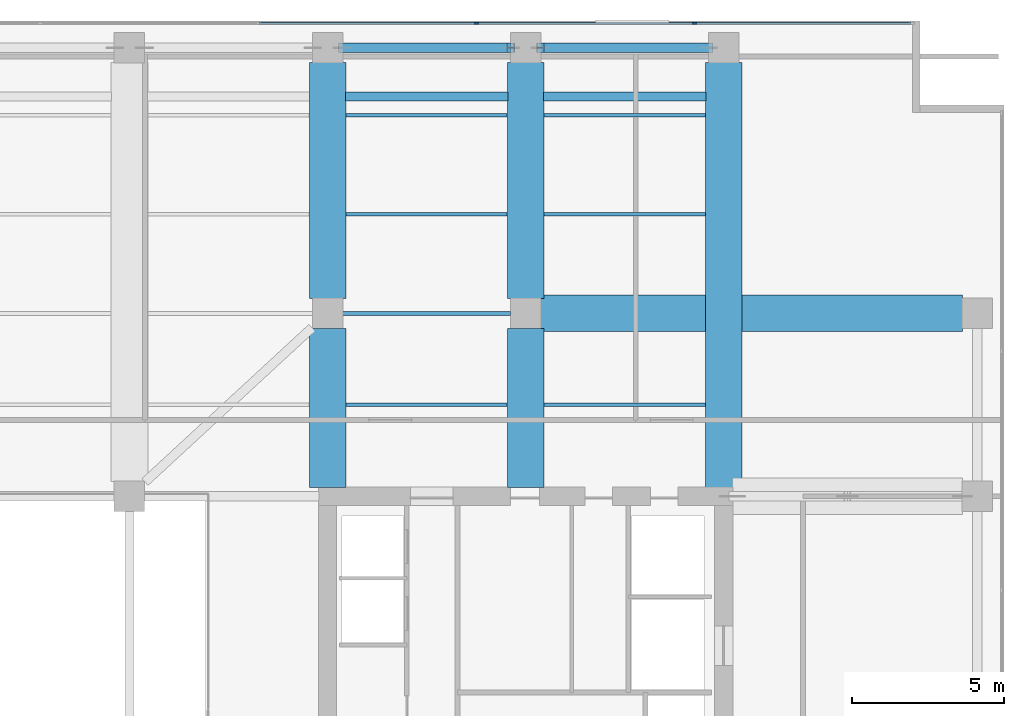
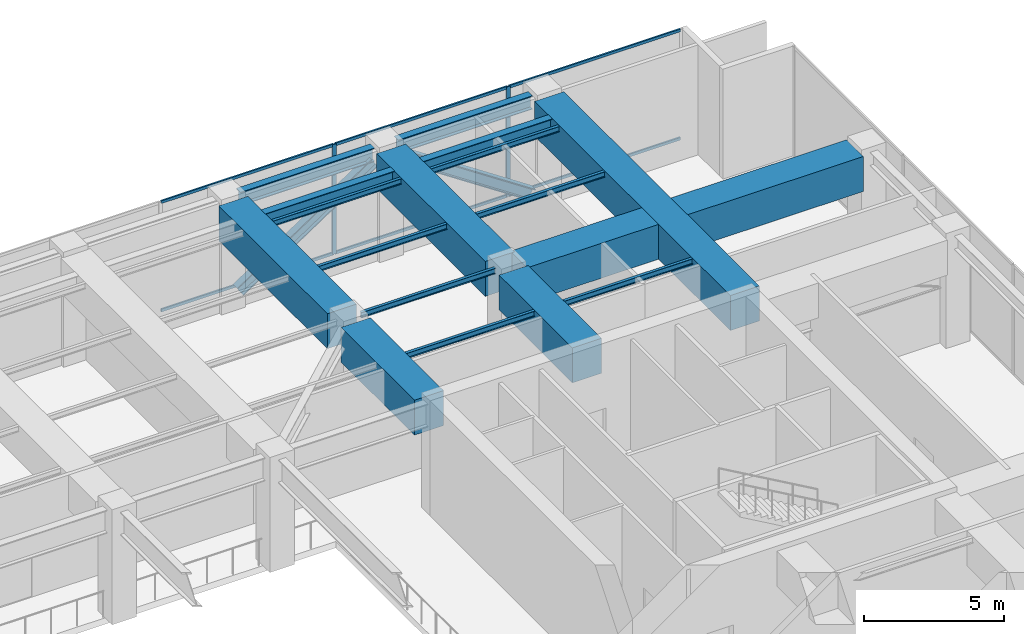
# One storey, part 10 of 28: 17 beams, 10 members, 1 element without a shape of its own.
"""IFC4 building model written with IfcOpenShell, lengths in metres."""

from ifc_helpers import new_model, si_unit, direction, frame, origin, origin_2d, place, context, subcontext, project, spatial, rectangle, i_section, extrude, material, layer, layer_set, material_profile, profile_set, type_object, element, aggregate, save


model = new_model("IFC4")

# Units and contexts
model_context = context("Model", 3, precision=1e-05, world=origin(), true_north=direction((0.0, 1.0)))
body_context = subcontext(model_context, "Body", "Model", "MODEL_VIEW")
ifc_project = project(units=[si_unit("LENGTHUNIT", "METRE"), si_unit("AREAUNIT", "SQUARE_METRE"), si_unit("VOLUMEUNIT", "CUBIC_METRE"), si_unit("PLANEANGLEUNIT", "RADIAN"), si_unit("MASSUNIT", "GRAM", prefix="KILO")], contexts=[model_context])

# Site, building, storey
site_placement = place(None, origin())
site = spatial("IfcSite", under=ifc_project, at=site_placement, CompositionType="ELEMENT")
building_placement = place(site_placement, origin())
building = spatial("IfcBuilding", under=site, at=building_placement, Name="Putna Gate Headquarters", CompositionType="ELEMENT")
storey_placement = place(building_placement, frame((0.0, 0.0, 197.39990234375)))
storey = spatial("IfcBuildingStorey", under=building, at=storey_placement, Name="L49", CompositionType="ELEMENT", Elevation=197.39990234375)

# Beams
ifc_material_1 = material(Name="Steel S355J2", Category="steel")
ifc_material_profile_1 = material_profile(ifc_material_1, i_section(OverallWidth=0.1201171875, OverallDepth=0.239990234375, WebThickness=0.006103515625, FlangeThickness=0.009765625, at=origin_2d()), Name="Steel S355J2")
ifc_profile_set_1 = profile_set([ifc_material_profile_1], Name="Steel S355J2")
beam_type_1 = type_object("IfcBeamType", Name="BM-SEC-Z4-IPE240", PredefinedType="JOIST", material=ifc_profile_set_1)
beam_1_placement = place(storey_placement, frame((52.60400390625, 36.0, 4.66015625), z_axis=(1.0, 0.0, 0.0), x_axis=(0.0, 1.0, 0.0)))
element("IfcBeam", 1, at=beam_1_placement, inside=storey, type_object=beam_type_1, Name="L49 North Secondary Beam 7", PredefinedType="JOIST", context=body_context, shape_type="SweptSolid", body=[
    extrude(i_section(OverallWidth=0.1201171875, OverallDepth=0.239990234375, WebThickness=0.006103515625, FlangeThickness=0.009765625, at=origin_2d()), origin(), (0.0, 0.0, 1.0), 5.2919921875),
])
beam_2_placement = place(storey_placement, frame((52.488037109375, 39.0, 4.66015625), z_axis=(1.0, 0.0, 0.0), x_axis=(0.0, 1.0, 0.0)))
element("IfcBeam", 2, at=beam_2_placement, inside=storey, type_object=beam_type_1, Name="L49 North Secondary Beam 7", PredefinedType="JOIST", context=body_context, shape_type="SweptSolid", body=[
    extrude(i_section(OverallWidth=0.1201171875, OverallDepth=0.239990234375, WebThickness=0.006103515625, FlangeThickness=0.009765625, at=origin_2d()), origin(), (0.0, 0.0, 1.0), 5.52392578125),
])
for number, where, z_axis, x_axis, name in (
    (3, (52.60400390625, 42.25, 4.66015625), (1.0, 0.0, 0.0), (0.0, 1.0, 0.0), "L49 North Secondary Beam 7"),
    (4, (52.60400390625, 45.5, 4.66015625), (1.0, 0.0, 0.0), (0.0, 1.0, 0.0), "L49 North Secondary Beam 7"),
    (5, (59.10400390625, 36.0, 4.66015625), (1.0, 0.0, 0.0), (0.0, 1.0, 0.0), "L49 North Secondary Beam 8"),
    (6, (59.10400390625, 42.25, 4.66015625), (1.0, 0.0, 0.0), (0.0, 1.0, 0.0), "L49 North Secondary Beam 8"),
    (7, (59.10400390625, 45.5, 4.66015625), (1.0, 0.0, 0.0), (0.0, 1.0, 0.0), "L49 North Secondary Beam 8"),
):
    element("IfcBeam", number, at=place(storey_placement, frame(where, z_axis=z_axis, x_axis=x_axis)), inside=storey, type_object=beam_type_1, Name=name, PredefinedType="JOIST", context=body_context, shape_type="SweptSolid", body=[
        extrude(i_section(OverallWidth=0.1201171875, OverallDepth=0.239990234375, WebThickness=0.006103515625, FlangeThickness=0.009765625, at=origin_2d()), origin(), (0.0, 0.0, 1.0), 5.2919921875),
    ])
ifc_material_profile_2 = material_profile(ifc_material_1, i_section(OverallWidth=0.300048828125, OverallDepth=0.590087890625, WebThickness=0.012939453125, FlangeThickness=0.02490234375, at=origin_2d()), Name="Steel S355J2")
ifc_profile_set_2 = profile_set([ifc_material_profile_2], Name="Steel S355J2")
beam_type_2 = type_object("IfcBeamType", Name="BM-SPAN-Z4-HEA600", PredefinedType="SPANDREL", material=ifc_profile_set_2)
for number, where, z_axis, x_axis, name in (
    (8, (52.488037109375, 47.719970703125, 4.485107421875), (1.0, 0.0, 0.0), (0.0, 1.0, 0.0), "L49 N Perimeter Spandrel 7"),
    (9, (58.988037109375, 47.719970703125, 4.485107421875), (1.0, 0.0, 0.0), (0.0, 1.0, 0.0), "L49 N Perimeter Spandrel 8"),
):
    element("IfcBeam", number, at=place(storey_placement, frame(where, z_axis=z_axis, x_axis=x_axis)), inside=storey, type_object=beam_type_2, Name=name, PredefinedType="SPANDREL", context=body_context, shape_type="SweptSolid", body=[
        extrude(i_section(OverallWidth=0.300048828125, OverallDepth=0.590087890625, WebThickness=0.012939453125, FlangeThickness=0.02490234375, at=origin_2d()), origin(), (0.0, 0.0, 1.0), 5.52392578125),
    ])
for number, where, z_axis, x_axis, name in (
    (10, (52.5849609375, 46.1201171875, 4.485107421875), (1.0, 0.0, 0.0), (0.0, 1.0, 0.0), "L49 Setback Edge Beam N7"),
    (11, (59.0849609375, 46.1201171875, 4.485107421875), (1.0, 0.0, 0.0), (0.0, 1.0, 0.0), "L49 Setback Edge Beam N8"),
):
    element("IfcBeam", number, at=place(storey_placement, frame(where, z_axis=z_axis, x_axis=x_axis)), inside=storey, type_object=beam_type_2, Name=name, PredefinedType="SPANDREL", context=body_context, shape_type="SweptSolid", body=[
        extrude(i_section(OverallWidth=0.300048828125, OverallDepth=0.590087890625, WebThickness=0.012939453125, FlangeThickness=0.02490234375, at=origin_2d()), origin(), (0.0, 0.0, 1.0), 5.330078125),
    ])
ifc_material_2 = material(Name="Concrete C50/60", Category="concrete")
ifc_material_profile_3 = material_profile(ifc_material_2, rectangle(XDim=1.199951171875, YDim=1.52001953125, at=origin_2d()), Name="Concrete C50/60")
ifc_profile_set_3 = profile_set([ifc_material_profile_3], Name="Concrete C50/60")
beam_type_3 = type_object("IfcBeamType", Name="BM-TG-RC1520", PredefinedType="USERDEFINED", material=ifc_profile_set_3)
beam_3_placement = place(storey_placement, frame((58.988037109375, 39.0, 4.02001953125), z_axis=(1.0, 0.0, 0.0), x_axis=(0.0, 1.0, 0.0)))
element("IfcBeam", 12, at=beam_3_placement, inside=storey, type_object=beam_type_3, Name="L49 East Wing Girder Y39", ObjectType="GIRDER", PredefinedType="USERDEFINED", context=body_context, shape_type="SweptSolid", body=[
    extrude(rectangle(XDim=1.199951171875, YDim=1.52001953125, at=origin_2d()), origin(), (0.0, 0.0, 1.0), 13.843994140625),
])
beam_4_placement = place(storey_placement, frame((52.0, 33.284912109375, 4.02001953125), z_axis=(0.0, 1.0, 0.0), x_axis=(-1.0, 0.0, 0.0)))
element("IfcBeam", 13, at=beam_4_placement, inside=storey, type_object=beam_type_3, Name="L49 North Primary Girder X52-1", ObjectType="GIRDER", PredefinedType="USERDEFINED", context=body_context, shape_type="SweptSolid", body=[
    extrude(rectangle(XDim=1.199951171875, YDim=1.52001953125, at=origin_2d()), origin(), (0.0, 0.0, 1.0), 5.22705078125),
])
beam_5_placement = place(storey_placement, frame((52.0, 39.488037109375, 4.02001953125), z_axis=(0.0, 1.0, 0.0), x_axis=(-1.0, 0.0, 0.0)))
element("IfcBeam", 14, at=beam_5_placement, inside=storey, type_object=beam_type_3, Name="L49 North Primary Girder X52-2", ObjectType="GIRDER", PredefinedType="USERDEFINED", context=body_context, shape_type="SweptSolid", body=[
    extrude(rectangle(XDim=1.199951171875, YDim=1.52001953125, at=origin_2d()), origin(), (0.0, 0.0, 1.0), 7.743896484375),
])
beam_6_placement = place(storey_placement, frame((58.5, 33.284912109375, 4.02001953125), z_axis=(0.0, 1.0, 0.0), x_axis=(-1.0, 0.0, 0.0)))
element("IfcBeam", 15, at=beam_6_placement, inside=storey, type_object=beam_type_3, Name="L49 North Primary Girder X58-1", ObjectType="GIRDER", PredefinedType="USERDEFINED", context=body_context, shape_type="SweptSolid", body=[
    extrude(rectangle(XDim=1.199951171875, YDim=1.52001953125, at=origin_2d()), origin(), (0.0, 0.0, 1.0), 5.22705078125),
])
beam_7_placement = place(storey_placement, frame((58.5, 39.488037109375, 4.02001953125), z_axis=(0.0, 1.0, 0.0), x_axis=(-1.0, 0.0, 0.0)))
element("IfcBeam", 16, at=beam_7_placement, inside=storey, type_object=beam_type_3, Name="L49 North Primary Girder X58-2", ObjectType="GIRDER", PredefinedType="USERDEFINED", context=body_context, shape_type="SweptSolid", body=[
    extrude(rectangle(XDim=1.199951171875, YDim=1.52001953125, at=origin_2d()), origin(), (0.0, 0.0, 1.0), 7.743896484375),
])
beam_8_placement = place(storey_placement, frame((65.0, 33.284912109375, 4.02001953125), z_axis=(0.0, 1.0, 0.0), x_axis=(-1.0, 0.0, 0.0)))
element("IfcBeam", 17, at=beam_8_placement, inside=storey, type_object=beam_type_3, Name="L49 North Primary Girder X65", ObjectType="GIRDER", PredefinedType="USERDEFINED", context=body_context, shape_type="SweptSolid", body=[
    extrude(rectangle(XDim=1.199951171875, YDim=1.52001953125, at=origin_2d()), origin(), (0.0, 0.0, 1.0), 13.947021484375),
])

# Members
ifc_material_3 = material(Name="Steel S460M", Category="steel")
ifc_material_profile_4 = material_profile(ifc_material_3, i_section(OverallWidth=0.306884765625, OverallDepth=0.47802734375, WebThickness=0.02099609375, FlangeThickness=0.0400390625, at=origin_2d()), Name="Steel S460M")
ifc_profile_set_4 = profile_set([ifc_material_profile_4], Name="Steel S460M")
member_type_1 = type_object("IfcMemberType", Name="MEM-BELT-DIAG-HEM450", PredefinedType="BRACE", material=ifc_profile_set_4)
for number, where, z_axis, x_axis, name in (
    (18, (52.485107421875, 47.719970703125, 0.4501953125), (0.832508038541, 0.0, 0.554012965339), (0.0, 1.0, 0.0), "L49 Belt Truss Diagonal N7"),
    (19, (58.985107421875, 47.719970703125, 4.130126953125), (0.832508038541, 0.0, -0.554012965339), (0.0, 1.0, 0.0), "L49 Belt Truss Diagonal N8"),
):
    element("IfcMember", number, at=place(storey_placement, frame(where, z_axis=z_axis, x_axis=x_axis)), inside=storey, type_object=member_type_1, Name=name, PredefinedType="BRACE", context=body_context, shape_type="SweptSolid", body=[
        extrude(i_section(OverallWidth=0.306884765625, OverallDepth=0.47802734375, WebThickness=0.02099609375, FlangeThickness=0.0400390625, at=origin_2d()), origin(), (0.0, 0.0, 1.0), 6.642333984375),
    ])

# Curtain wall, members
ifc_material_4 = material(Name="Anodised bronze aluminium curtain wall", Category="aluminium")
ifc_layer = layer(ifc_material_4, 0.159912109375)
ifc_layer_set = layer_set([ifc_layer], Name="Anodised bronze aluminium curtain wall")
curtain_wall_type = type_object("IfcCurtainWallType", Name="CW-SYS-CRN", PredefinedType="USERDEFINED", material=ifc_layer_set)
curtain_wall_placement = place(storey_placement, origin())
curtain_wall = element("IfcCurtainWall", 20, at=curtain_wall_placement, inside=storey, type_object=curtain_wall_type, Name="L49 Acoustic Louvre North Enclosure", ObjectType="STICK CURTAIN WALL", PredefinedType="USERDEFINED")
ifc_material_5 = material(Name="Anodised bronze aluminium EN AW-6060", Category="aluminium")
ifc_material_profile_5 = material_profile(ifc_material_5, rectangle(XDim=0.06494140625, YDim=0.159912109375, at=origin_2d()), Name="Anodised bronze aluminium EN AW-6060")
ifc_profile_set_5 = profile_set([ifc_material_profile_5], Name="Anodised bronze aluminium EN AW-6060")
member_type_2 = type_object("IfcMemberType", Name="MULL-CWM-CR", PredefinedType="MULLION", material=ifc_profile_set_5)
member_1_placement = place(storey_placement, frame((56.888916015625, 48.52001953125, 0.0), z_axis=(0.0, 0.0, 1.0), x_axis=(0.0, 1.0, 0.0)))
member_1 = element("IfcMember", 21, at=member_1_placement, type_object=member_type_2, Name="CWS-CR mullion 8", PredefinedType="MULLION", context=body_context, shape_type="SweptSolid", body=[
    extrude(rectangle(XDim=0.06494140625, YDim=0.159912109375, at=origin_2d()), origin(), (0.0, 0.0, 1.0), 4.780029296875),
])
member_2_placement = place(storey_placement, frame((64.04443359375, 48.52001953125, 0.0), z_axis=(0.0, 0.0, 1.0), x_axis=(0.0, 1.0, 0.0)))
member_2 = element("IfcMember", 22, at=member_2_placement, type_object=member_type_2, Name="CWS-CR mullion 9", PredefinedType="MULLION", context=body_context, shape_type="SweptSolid", body=[
    extrude(rectangle(XDim=0.06494140625, YDim=0.159912109375, at=origin_2d()), origin(), (0.0, 0.0, 1.0), 4.780029296875),
])
ifc_material_profile_6 = material_profile(ifc_material_5, rectangle(XDim=0.06494140625, YDim=0.1201171875, at=origin_2d()), Name="Anodised bronze aluminium EN AW-6060")
ifc_profile_set_6 = profile_set([ifc_material_profile_6], Name="Anodised bronze aluminium EN AW-6060")
member_type_3 = type_object("IfcMemberType", Name="TRAN-CWT-CR", PredefinedType="USERDEFINED", material=ifc_profile_set_6)
member_3_placement = place(storey_placement, frame((49.765869140625, 48.52001953125, 0.03271484375), z_axis=(1.0, 0.0, 0.0), x_axis=(0.0, 1.0, 0.0)))
member_3 = element("IfcMember", 23, at=member_3_placement, type_object=member_type_3, Name="CWS-CR transom 7.1", ObjectType="TRANSOM", PredefinedType="USERDEFINED", context=body_context, shape_type="SweptSolid", body=[
    extrude(rectangle(XDim=0.06494140625, YDim=0.1201171875, at=origin_2d()), origin(), (0.0, 0.0, 1.0), 7.090576171875),
])
member_4_placement = place(storey_placement, frame((49.765869140625, 48.52001953125, 4.74755859375), z_axis=(1.0, 0.0, 0.0), x_axis=(0.0, 1.0, 0.0)))
member_4 = element("IfcMember", 24, at=member_4_placement, type_object=member_type_3, Name="CWS-CR transom 7.2", ObjectType="TRANSOM", PredefinedType="USERDEFINED", context=body_context, shape_type="SweptSolid", body=[
    extrude(rectangle(XDim=0.06494140625, YDim=0.1201171875, at=origin_2d()), origin(), (0.0, 0.0, 1.0), 7.090576171875),
])
member_5_placement = place(storey_placement, frame((56.92138671875, 48.52001953125, 0.03271484375), z_axis=(1.0, 0.0, 0.0), x_axis=(0.0, 1.0, 0.0)))
member_5 = element("IfcMember", 25, at=member_5_placement, type_object=member_type_3, Name="CWS-CR transom 8.1", ObjectType="TRANSOM", PredefinedType="USERDEFINED", context=body_context, shape_type="SweptSolid", body=[
    extrude(rectangle(XDim=0.06494140625, YDim=0.1201171875, at=origin_2d()), origin(), (0.0, 0.0, 1.0), 7.090576171875),
])
member_6_placement = place(storey_placement, frame((56.92138671875, 48.52001953125, 4.74755859375), z_axis=(1.0, 0.0, 0.0), x_axis=(0.0, 1.0, 0.0)))
member_6 = element("IfcMember", 26, at=member_6_placement, type_object=member_type_3, Name="CWS-CR transom 8.2", ObjectType="TRANSOM", PredefinedType="USERDEFINED", context=body_context, shape_type="SweptSolid", body=[
    extrude(rectangle(XDim=0.06494140625, YDim=0.1201171875, at=origin_2d()), origin(), (0.0, 0.0, 1.0), 7.090576171875),
])
member_7_placement = place(storey_placement, frame((64.076904296875, 48.52001953125, 0.03271484375), z_axis=(1.0, 0.0, 0.0), x_axis=(0.0, 1.0, 0.0)))
member_7 = element("IfcMember", 27, at=member_7_placement, type_object=member_type_3, Name="CWS-CR transom 9.1", ObjectType="TRANSOM", PredefinedType="USERDEFINED", context=body_context, shape_type="SweptSolid", body=[
    extrude(rectangle(XDim=0.06494140625, YDim=0.1201171875, at=origin_2d()), origin(), (0.0, 0.0, 1.0), 7.05810546875),
])
member_8_placement = place(storey_placement, frame((64.076904296875, 48.52001953125, 4.74755859375), z_axis=(1.0, 0.0, 0.0), x_axis=(0.0, 1.0, 0.0)))
member_8 = element("IfcMember", 28, at=member_8_placement, type_object=member_type_3, Name="CWS-CR transom 9.2", ObjectType="TRANSOM", PredefinedType="USERDEFINED", context=body_context, shape_type="SweptSolid", body=[
    extrude(rectangle(XDim=0.06494140625, YDim=0.1201171875, at=origin_2d()), origin(), (0.0, 0.0, 1.0), 7.05810546875),
])
aggregate(curtain_wall, [member_1, member_2, member_3, member_4, member_5, member_6, member_7, member_8])

save(model, "model.ifc")
